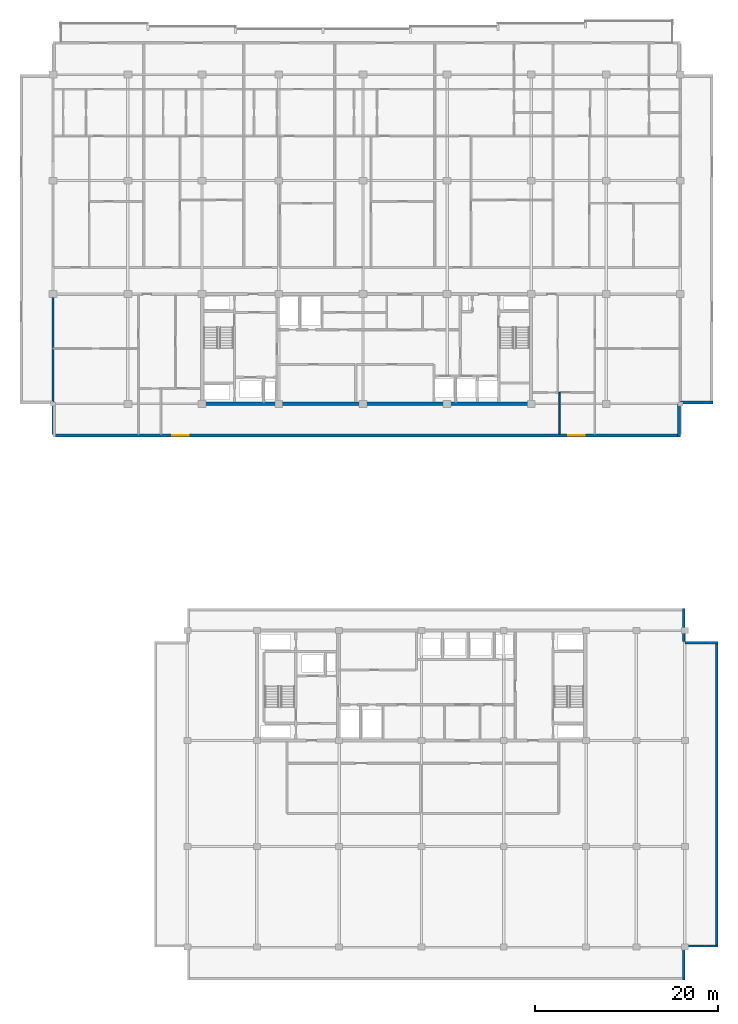
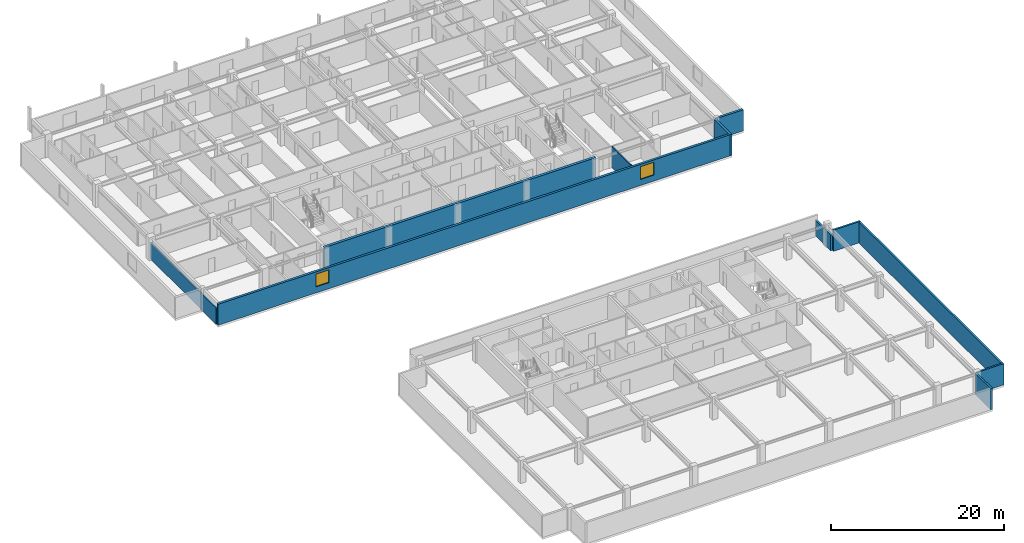
# One storey, part 7 of 17: 11 walls, 2 windows, 2 openings.
"""IFC4 building model written with IfcOpenShell, lengths in metres."""

from ifc_helpers import new_model, si_unit, direction, frame, frame_2d, origin, place, context, subcontext, project, spatial, rectangle, extrude, material, layer, layer_set, type_object, element, fill, save


model = new_model("IFC4")

# Units and contexts
model_context = context("Model", 3, precision=1e-05, world=origin(), true_north=direction((0.0, 1.0)))
body_context = subcontext(model_context, "Body", "Model", "MODEL_VIEW")
ifc_project = project(units=[si_unit("LENGTHUNIT", "METRE"), si_unit("AREAUNIT", "SQUARE_METRE"), si_unit("VOLUMEUNIT", "CUBIC_METRE"), si_unit("PLANEANGLEUNIT", "RADIAN"), si_unit("MASSUNIT", "GRAM", prefix="KILO")], contexts=[model_context])

# Site, building, storey
site_placement = place(None, origin())
site = spatial("IfcSite", under=ifc_project, at=site_placement, CompositionType="ELEMENT")
building_placement = place(site_placement, origin())
building = spatial("IfcBuilding", under=site, at=building_placement, Name="Korimba Cascade Residences", CompositionType="ELEMENT")
storey_placement = place(building_placement, frame((0.0, 0.0, 204.35009765625)))
storey = spatial("IfcBuildingStorey", under=building, at=storey_placement, Name="L59", CompositionType="ELEMENT", Elevation=204.35009765625)

# Walls
ifc_material_1 = material(Name="Precast concrete C40/50", Category="concrete")
ifc_layer_1 = layer(ifc_material_1, 0.25)
ifc_layer_set_1 = layer_set([ifc_layer_1], Name="Precast concrete C40/50")
wall_type_1 = type_object("IfcWallType", Name="EW-PLNT-250", PredefinedType="SHEAR", material=ifc_layer_set_1)
for number, where, z_axis, x_axis, name in (
    (1, (128.77490234375, -7.800048828125, 0.0), (0.0, 0.0, 1.0), (0.0, 1.0, 0.0), "L59 T2 Perimeter Stone Wall E01"),
    (2, (128.89990234375, -4.074951171875, 0.0), (0.0, 0.0, 1.0), (1.0, 0.0, 0.0), "L59 T2 Perimeter Stone Wall E02"),
):
    element("IfcWall", number, at=place(storey_placement, frame(where, z_axis=z_axis, x_axis=x_axis)), inside=storey, type_object=wall_type_1, Name=name, PredefinedType="SHEAR", context=body_context, shape_type="SweptSolid", body=[
        extrude(rectangle(XDim=3.60009765625, YDim=0.25, at=frame_2d((1.800048828125, 0.0))), origin(), (0.0, 0.0, 1.0), 2.97998046875),
    ])
wall_1_placement = place(storey_placement, frame((132.375, -4.199951171875, 0.0), z_axis=(0.0, 0.0, 1.0), x_axis=(0.0, 1.0, 0.0)))
element("IfcWall", 3, at=wall_1_placement, inside=storey, type_object=wall_type_1, Name="L59 T2 Perimeter Stone Wall E03", PredefinedType="SHEAR", context=body_context, shape_type="SweptSolid", body=[
    extrude(rectangle(XDim=33.39990234375, YDim=0.25, at=frame_2d((16.699951171875, 0.0))), origin(), (0.0, 0.0, 1.0), 2.97998046875),
])
wall_2_placement = place(storey_placement, frame((132.5, 29.074951171875, 0.0), z_axis=(0.0, 0.0, 1.0), x_axis=(-1.0, 0.0, 0.0)))
element("IfcWall", 4, at=wall_2_placement, inside=storey, type_object=wall_type_1, Name="L59 T2 Perimeter Stone Wall E04", PredefinedType="SHEAR", context=body_context, shape_type="SweptSolid", body=[
    extrude(rectangle(XDim=3.60009765625, YDim=0.25, at=frame_2d((1.800048828125, 0.0))), origin(), (0.0, 0.0, 1.0), 2.97998046875),
])
wall_3_placement = place(storey_placement, frame((128.77490234375, 29.199951171875, 0.0), z_axis=(0.0, 0.0, 1.0), x_axis=(0.0, 1.0, 0.0)))
element("IfcWall", 5, at=wall_3_placement, inside=storey, type_object=wall_type_1, Name="L59 T2 Perimeter Stone Wall E05", PredefinedType="SHEAR", context=body_context, shape_type="SweptSolid", body=[
    extrude(rectangle(XDim=3.60009765625, YDim=0.25, at=frame_2d((1.800048828125, 0.0))), origin(), (0.0, 0.0, 1.0), 2.210205078125),
])

# Wall, openings, windows
ifc_layer_2 = layer(ifc_material_1, 0.300048828125)
ifc_layer_set_2 = layer_set([ifc_layer_2], Name="Precast concrete C40/50")
wall_type_2 = type_object("IfcWallType", Name="EW-STONE-300", PredefinedType="STANDARD", material=ifc_layer_set_2)
wall_4_placement = place(storey_placement, frame((59.800048828125, 51.75, 0.0), z_axis=(0.0, 0.0, 1.0), x_axis=(1.0, 0.0, 0.0)))
wall_4 = element("IfcWall", 6, at=wall_4_placement, inside=storey, type_object=wall_type_2, Name="L59 T1 Perimeter Stone Wall E00", PredefinedType="STANDARD", context=body_context, shape_type="SweptSolid", body=[
    extrude(rectangle(XDim=68.599853515625, YDim=0.300048828125, at=frame_2d((34.2998046875, 0.0))), origin(), (0.0, 0.0, 1.0), 2.97998046875),
])
opening_1_placement = place(wall_4_placement, frame((13.02490234375, 0.0, 0.85009765625)))
opening_1 = element("IfcOpeningElement", 7, at=opening_1_placement, cuts=wall_4, Name="Opening W-02", PredefinedType="OPENING", context=body_context, shape_type="SweptSolid", body=[
    extrude(rectangle(XDim=1.800048828125, YDim=1.800048828125, at=frame_2d((0.89990234375, 0.89990234375))), frame((0.0, 0.16015625, 0.0), z_axis=(0.0, -1.0, 0.0), x_axis=(1.0, 0.0, 0.0)), (0.0, 0.0, 1.0), 0.320068359375),
])
opening_2_placement = place(wall_4_placement, frame((56.375, 0.0, 0.85009765625)))
opening_2 = element("IfcOpeningElement", 8, at=opening_2_placement, cuts=wall_4, Name="Opening W-02", PredefinedType="OPENING", context=body_context, shape_type="SweptSolid", body=[
    extrude(rectangle(XDim=1.800048828125, YDim=1.800048828125, at=frame_2d((0.89990234375, 0.89990234375))), frame((0.0, 0.16015625, 0.0), z_axis=(0.0, -1.0, 0.0), x_axis=(1.0, 0.0, 0.0)), (0.0, 0.0, 1.0), 0.320068359375),
])
ifc_material_2 = material(Name="Double-Glazed Aluminium Window", Category="aluminium")
window_type = type_object("IfcWindowType", Name="WIN-BED-1800", PartitioningType="SINGLE_PANEL", PredefinedType="WINDOW", material=ifc_material_2)
window_1_placement = place(opening_1_placement, origin())
window_1 = element("IfcWindow", 9, at=window_1_placement, inside=storey, type_object=window_type, Name="L59 T1 South Corner Bedroom Window 1", OverallHeight=1.800048828125, OverallWidth=1.800048828125, PartitioningType="SINGLE_PANEL", PredefinedType="WINDOW", context=body_context, shape_type="SweptSolid", body=[
    extrude(rectangle(XDim=1.800048828125, YDim=1.800048828125, at=frame_2d((0.89990234375, 0.89990234375))), frame((0.0, 0.030029296875, 0.0), z_axis=(0.0, -1.0, 0.0), x_axis=(1.0, 0.0, 0.0)), (0.0, 0.0, 1.0), 0.06005859375),
])
fill(opening_1, window_1)
window_2_placement = place(opening_2_placement, origin())
window_2 = element("IfcWindow", 10, at=window_2_placement, inside=storey, type_object=window_type, Name="L59 T1 South Corner Bedroom Window 2", OverallHeight=1.800048828125, OverallWidth=1.800048828125, PartitioningType="SINGLE_PANEL", PredefinedType="WINDOW", context=body_context, shape_type="SweptSolid", body=[
    extrude(rectangle(XDim=1.800048828125, YDim=1.800048828125, at=frame_2d((0.89990234375, 0.89990234375))), frame((0.0, 0.030029296875, 0.0), z_axis=(0.0, -1.0, 0.0), x_axis=(1.0, 0.0, 0.0)), (0.0, 0.0, 1.0), 0.06005859375),
])
fill(opening_2, window_2)

# Walls
wall_5_placement = place(storey_placement, frame((128.25, 51.60009765625, 0.0), z_axis=(0.0, 0.0, 1.0), x_axis=(0.0, 1.0, 0.0)))
element("IfcWall", 11, at=wall_5_placement, inside=storey, type_object=wall_type_2, Name="L59 T1 Perimeter Stone Wall E01", PredefinedType="STANDARD", context=body_context, shape_type="SweptSolid", body=[
    extrude(rectangle(XDim=3.599853515625, YDim=0.300048828125, at=frame_2d((1.7998046875, 0.0))), origin(), (0.0, 0.0, 1.0), 2.97998046875),
])
wall_6_placement = place(storey_placement, frame((128.39990234375, 55.35009765625, 0.0), z_axis=(0.0, 0.0, 1.0), x_axis=(1.0, 0.0, 0.0)))
element("IfcWall", 12, at=wall_6_placement, inside=storey, type_object=wall_type_2, Name="L59 T1 Perimeter Stone Wall E02", PredefinedType="STANDARD", context=body_context, shape_type="SweptSolid", body=[
    extrude(rectangle(XDim=3.60009765625, YDim=0.300048828125, at=frame_2d((1.800048828125, 0.0))), origin(), (0.0, 0.0, 1.0), 2.97998046875),
])
ifc_material_3 = material(Name="Concrete C65/80", Category="concrete")
ifc_layer_3 = layer(ifc_material_3, 0.35009765625)
ifc_layer_set_3 = layer_set([ifc_layer_3], Name="Concrete C65/80")
wall_type_3 = type_object("IfcWallType", Name="WAL-CORE-350", PredefinedType="SHEAR", material=ifc_layer_set_3)
wall_7_placement = place(storey_placement, frame((75.949951171875, 55.199951171875, 0.0), z_axis=(0.0, 0.0, 1.0), x_axis=(1.0, 0.0, 0.0)))
element("IfcWall", 13, at=wall_7_placement, inside=storey, type_object=wall_type_3, Name="L59 Core Shear Wall CW-L59-T1-S", PredefinedType="SHEAR", context=body_context, shape_type="SweptSolid", body=[
    extrude(rectangle(XDim=36.300048828125, YDim=0.35009765625, at=frame_2d((18.14990234375, 0.0))), origin(), (0.0, 0.0, 1.0), 3.25),
])
ifc_layer_4 = layer(ifc_material_1, 0.199951171875)
ifc_layer_set_4 = layer_set([ifc_layer_4], Name="Precast concrete C40/50")
wall_type_4 = type_object("IfcWallType", Name="WAL-IT-200", PredefinedType="PARTITIONING", material=ifc_layer_set_4)
wall_8_placement = place(storey_placement, frame((59.800048828125, 51.89990234375, 0.0), z_axis=(0.0, 0.0, 1.0), x_axis=(0.0, 1.0, 0.0)))
element("IfcWall", 14, at=wall_8_placement, inside=storey, type_object=wall_type_4, Name="L59 Partition Wall WAL-L59-T1-FW-WL", PredefinedType="PARTITIONING", context=body_context, shape_type="SweptSolid", body=[
    extrude(rectangle(XDim=15.300048828125, YDim=0.199951171875, at=frame_2d((7.64990234375, 0.0))), origin(), (0.0, 0.0, 1.0), 2.287109375),
])
ifc_material_4 = material(Name="Insulated Acoustic Stud Partition", Category="gypsum")
ifc_layer_5 = layer(ifc_material_4, 0.14990234375)
ifc_layer_set_5 = layer_set([ifc_layer_5], Name="Insulated Acoustic Stud Partition")
wall_type_5 = type_object("IfcWallType", Name="WAL-PART-150", PredefinedType="PARTITIONING", material=ifc_layer_set_5)
wall_9_placement = place(storey_placement, frame((115.199951171875, 51.89990234375, 0.0), z_axis=(0.0, 0.0, 1.0), x_axis=(0.0, 1.0, 0.0)))
element("IfcWall", 15, at=wall_9_placement, inside=storey, type_object=wall_type_5, Name="L59 Partition Wall WAL-L59-T1-FE-VS", PredefinedType="PARTITIONING", context=body_context, shape_type="SweptSolid", body=[
    extrude(rectangle(XDim=4.550048828125, YDim=0.14990234375, at=frame_2d((2.27490234375, 0.0))), origin(), (0.0, 0.0, 1.0), 2.97998046875),
])

save(model, "model.ifc")
